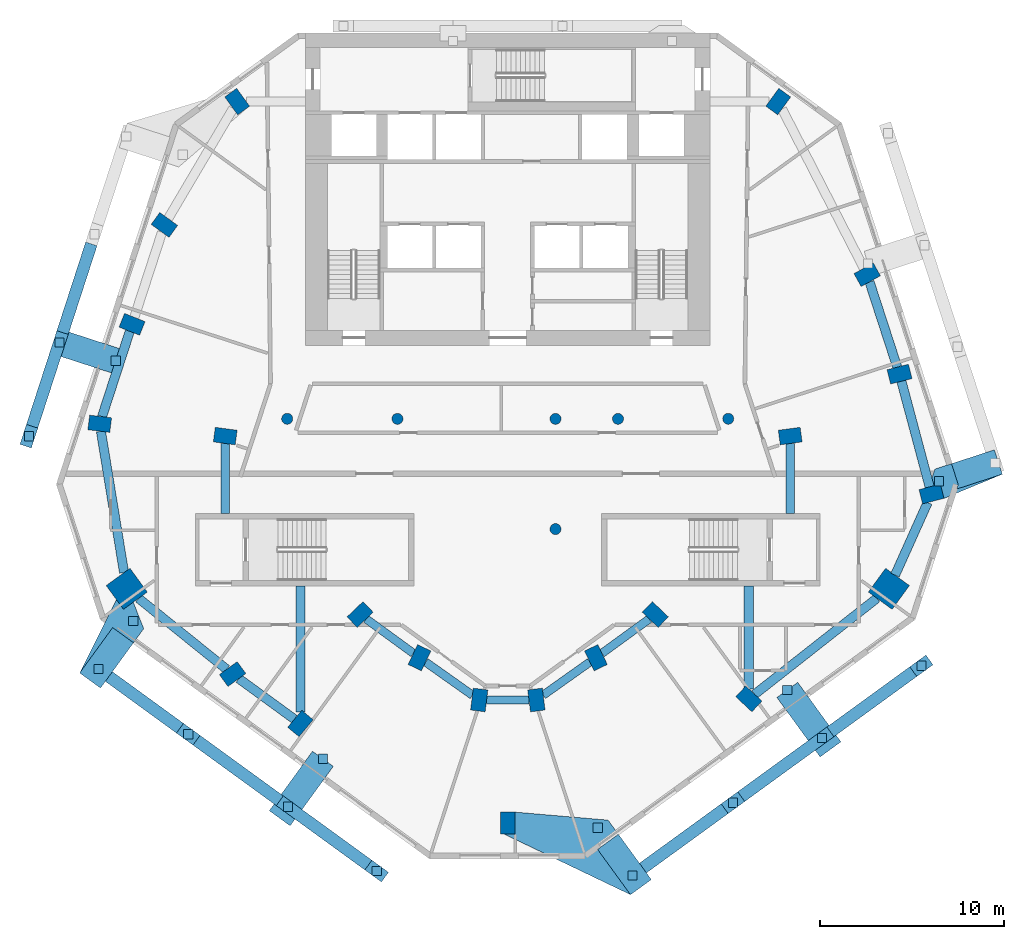
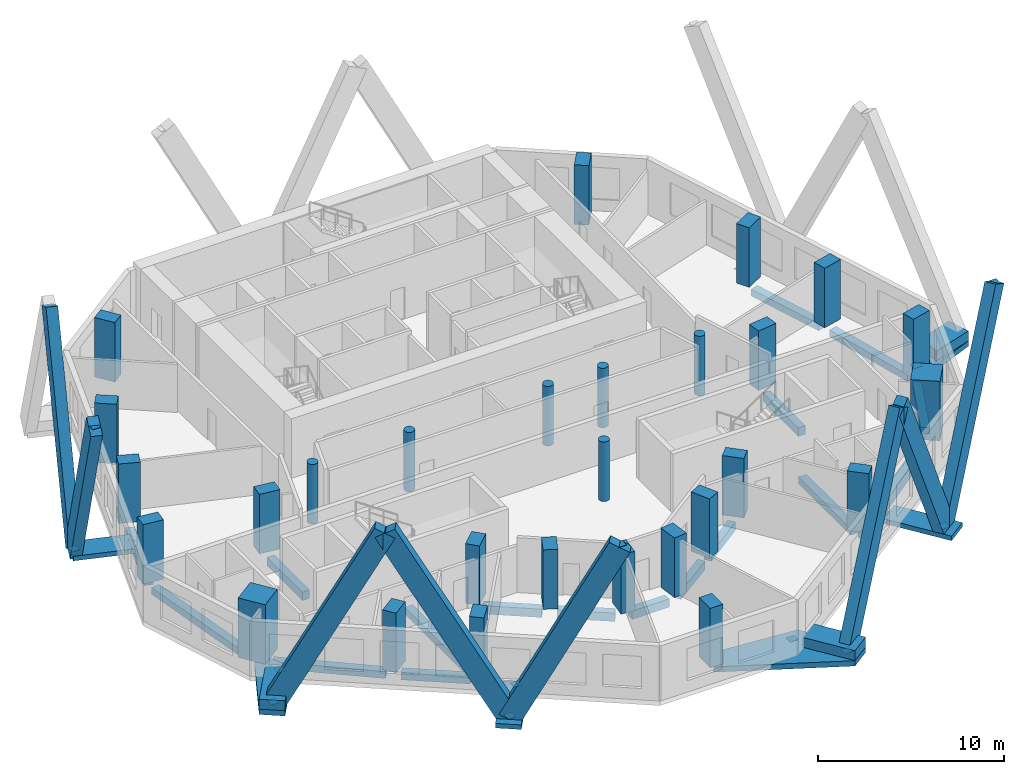
# One storey, part 1 of 10: 28 columns, 17 beams, 17 members, 16 discrete accessories.
"""IFC4 building model written with IfcOpenShell, lengths in metres."""

from ifc_helpers import new_model, si_unit, direction, frame, origin, origin_2d, place, context, subcontext, project, spatial, polyline, rectangle, circle, outline, extrude, material, layer, layer_set, material_profile, profile_set, type_object, element, aggregate, save


model = new_model("IFC4")

# Units and contexts
model_context = context("Model", 3, precision=1e-05, world=origin(), true_north=direction((0.0, 1.0)))
body_context = subcontext(model_context, "Body", "Model", "MODEL_VIEW")
ifc_project = project(units=[si_unit("LENGTHUNIT", "METRE"), si_unit("AREAUNIT", "SQUARE_METRE"), si_unit("VOLUMEUNIT", "CUBIC_METRE"), si_unit("PLANEANGLEUNIT", "RADIAN"), si_unit("MASSUNIT", "GRAM", prefix="KILO")], contexts=[model_context])

# Site, building, storey
site_placement = place(None, origin())
site = spatial("IfcSite", under=ifc_project, at=site_placement, CompositionType="ELEMENT")
building_placement = place(site_placement, origin())
building = spatial("IfcBuilding", under=site, at=building_placement, Name="White Candle Pilgrim Tower", CompositionType="ELEMENT")
storey_placement = place(building_placement, frame((0.0, 0.0, 219.89990234375)))
storey = spatial("IfcBuildingStorey", under=building, at=storey_placement, Name="L51", CompositionType="ELEMENT", Elevation=219.89990234375)

# Columns
ifc_material_1 = material(Name="Concrete C70/85", Category="concrete")
ifc_material_profile_1 = material_profile(ifc_material_1, circle(Radius=0.300048828125, at=origin_2d()), Name="RC-COL D600")
ifc_profile_set_1 = profile_set([ifc_material_profile_1], Name="Concrete C70/85")
column_type_1 = type_object("IfcColumnType", Name="Interior column RC-COL D600 C70/85", PredefinedType="COLUMN", material=ifc_profile_set_1)
for number, where, z_axis, x_axis, name in (
    (1, (58.0, 67.0, 0.0), (0.0, 0.0, 1.0), (1.0, 0.0, 0.0), "L51 column I01"),
    (2, (64.0, 67.0, 0.0), (0.0, 0.0, 1.0), (1.0, 0.0, 0.0), "L51 column I02"),
    (3, (72.60009765625, 61.0, 0.0), (0.0, 0.0, 1.0), (1.0, 0.0, 0.0), "L51 column I03"),
    (4, (72.60009765625, 67.0, 0.0), (0.0, 0.0, 1.0), (1.0, 0.0, 0.0), "L51 column I04"),
    (5, (76.0, 67.0, 0.0), (0.0, 0.0, 1.0), (1.0, 0.0, 0.0), "L51 column I05"),
    (6, (82.0, 67.0, 0.0), (0.0, 0.0, 1.0), (1.0, 0.0, 0.0), "L51 column I06"),
):
    element("IfcColumn", number, at=place(storey_placement, frame(where, z_axis=z_axis, x_axis=x_axis)), inside=storey, type_object=column_type_1, Name=name, PredefinedType="COLUMN", context=body_context, shape_type="SweptSolid", body=[
        extrude(circle(Radius=0.300048828125, at=origin_2d()), origin(), (0.0, 0.0, 1.0), 3.900146484375),
    ])
ifc_material_profile_2 = material_profile(ifc_material_1, rectangle(XDim=1.60009765625, YDim=1.60009765625, at=origin_2d()), Name="RC 1600x1600")
ifc_profile_set_2 = profile_set([ifc_material_profile_2], Name="Concrete C70/85")
column_type_2 = type_object("IfcColumnType", Name="Mega column RC 1600x1600 C70/85", PredefinedType="COLUMN", material=ifc_profile_set_2)
for number, where, z_axis, x_axis, name in (
    (7, (49.27001953125, 57.75, 0.0), (0.0, 0.0, 1.0), (-0.809016994375, -0.587785252292, 0.0), "L51 mega column T01"),
    (8, (90.739990234375, 57.75, 0.0), (0.0, 0.0, 1.0), (0.809016994375, -0.587785252292, 0.0), "L51 mega column T06"),
):
    element("IfcColumn", number, at=place(storey_placement, frame(where, z_axis=z_axis, x_axis=x_axis)), inside=storey, type_object=column_type_2, Name=name, PredefinedType="COLUMN", context=body_context, shape_type="SweptSolid", body=[
        extrude(rectangle(XDim=1.60009765625, YDim=1.60009765625, at=origin_2d()), origin(), (0.0, 0.0, 1.0), 3.900146484375),
    ])
ifc_material_profile_3 = material_profile(ifc_material_1, rectangle(XDim=0.800048828125, YDim=1.199951171875, at=origin_2d()), Name="RC-PR 800x1200")
ifc_profile_set_3 = profile_set([ifc_material_profile_3], Name="Concrete C70/85")
column_type_3 = type_object("IfcColumnType", Name="Perimeter column RC-PR 800x1200 C70/85", PredefinedType="COLUMN", material=ifc_profile_set_3)
for number, where, z_axis, x_axis, name in (
    (9, (55.030029296875, 53.110107421875, 0.0), (0.0, 0.0, 1.0), (-0.58846280644, 0.808524288711, 0.0), "L51 column T02"),
    (10, (58.719970703125, 50.419921875, 0.0), (0.0, 0.0, 1.0), (-0.769310358735, 0.638875239733, 0.0), "L51 column T03"),
    (11, (70.0, 45.0, 0.0), (0.0, 0.0, 1.0), (-1.0, 0.0, 0.0), "L51 column T04"),
    (12, (83.1201171875, 51.760009765625, 0.0), (0.0, 0.0, 1.0), (-0.681998360062, -0.731353701619, 0.0), "L51 column T05"),
    (13, (93.06005859375, 62.909912109375, 0.0), (0.0, 0.0, 1.0), (0.246880623275, -0.969045900797, 0.0), "L51 column T07"),
    (14, (91.320068359375, 69.429931640625, 0.0), (0.0, 0.0, 1.0), (0.246880623275, -0.969045900797, 0.0), "L51 column T08"),
    (15, (89.56005859375, 74.840087890625, 0.0), (0.0, 0.0, 1.0), (0.484809620246, -0.874619707139, 0.0), "L51 column T09"),
    (16, (84.719970703125, 84.260009765625, 0.0), (0.0, 0.0, 1.0), (0.80902725304, -0.587771132193, 0.0), "L51 column T10"),
    (17, (55.280029296875, 84.260009765625, 0.0), (0.0, 0.0, 1.0), (0.80902725304, 0.587771132193, 0.0), "L51 column T11"),
    (18, (51.320068359375, 77.550048828125, 0.0), (0.0, 0.0, 1.0), (0.587107285614, 0.809509132239, 0.0), "L51 column T12"),
    (19, (49.56005859375, 72.139892578125, 0.0), (0.0, 0.0, 1.0), (0.369860269472, 0.929087391512, 0.0), "L51 column T13"),
    (20, (47.800048828125, 66.72998046875, 0.0), (0.0, 0.0, 1.0), (0.121869343405, 0.992546151641, 0.0), "L51 column T14"),
):
    element("IfcColumn", number, at=place(storey_placement, frame(where, z_axis=z_axis, x_axis=x_axis)), inside=storey, type_object=column_type_3, Name=name, PredefinedType="COLUMN", context=body_context, shape_type="SweptSolid", body=[
        extrude(rectangle(XDim=0.800048828125, YDim=1.199951171875, at=origin_2d()), origin(), (0.0, 0.0, 1.0), 3.900146484375),
    ])
ifc_material_profile_4 = material_profile(ifc_material_1, rectangle(XDim=0.800048828125, YDim=1.199951171875, at=origin_2d()), Name="RC-PR 800x1200")
ifc_profile_set_4 = profile_set([ifc_material_profile_4], Name="Concrete C70/85")
column_type_4 = type_object("IfcColumnType", Name="Ring column RC-PR 800x1200 C70/85", PredefinedType="COLUMN", material=ifc_profile_set_4)
for number, where, z_axis, x_axis, name in (
    (21, (61.969970703125, 56.35009765625, 0.0), (0.0, 0.0, 1.0), (-0.689872285383, 0.723931094691, 0.0), "L51 column R01"),
    (22, (65.199951171875, 54.0, 0.0), (0.0, 0.0, 1.0), (-0.901689191761, 0.43238478403, 0.0), "L51 column R02"),
    (23, (68.449951171875, 51.699951171875, 0.0), (0.0, 0.0, 1.0), (-0.992092811428, 0.125506388335, 0.0), "L51 column R03"),
    (24, (71.56005859375, 51.699951171875, 0.0), (0.0, 0.0, 1.0), (-0.992092811428, -0.125506388335, 0.0), "L51 column R04"),
    (25, (74.800048828125, 54.0, 0.0), (0.0, 0.0, 1.0), (-0.901689191761, -0.43238478403, 0.0), "L51 column R05"),
    (26, (78.030029296875, 56.35009765625, 0.0), (0.0, 0.0, 1.0), (-0.689872285383, -0.723931094691, 0.0), "L51 column R06"),
    (27, (85.3701171875, 66.06005859375, 0.0), (0.0, 0.0, 1.0), (0.132602381688, -0.991169313675, 0.0), "L51 column R07"),
    (28, (54.6298828125, 66.06005859375, 0.0), (0.0, 0.0, 1.0), (0.132602381688, 0.991169313675, 0.0), "L51 column R08"),
):
    element("IfcColumn", number, at=place(storey_placement, frame(where, z_axis=z_axis, x_axis=x_axis)), inside=storey, type_object=column_type_4, Name=name, PredefinedType="COLUMN", context=body_context, shape_type="SweptSolid", body=[
        extrude(rectangle(XDim=0.800048828125, YDim=1.199951171875, at=origin_2d()), origin(), (0.0, 0.0, 1.0), 3.900146484375),
    ])

# Member
ifc_material_2 = material(Name="Concrete C70/85, white", Category="concrete")
ifc_material_profile_5 = material_profile(ifc_material_2, rectangle(XDim=0.64990234375, YDim=1.25, at=origin_2d()), Name="RC-DG 650x1250")
ifc_profile_set_5 = profile_set([ifc_material_profile_5], Name="Concrete C70/85, white")
member_type_1 = type_object("IfcMemberType", Name="Exoskeleton diagonal RC-DG 650x1250 C70/85", PredefinedType="BRACE", material=ifc_profile_set_5)
member_1_placement = place(storey_placement, frame((76.79150390625, 42.1435546875, 0.0), z_axis=(0.404501842717, 0.293871022438, 0.866035843028), x_axis=(-0.587763300439, 0.809032942875, 0.0)))
member_1 = element("IfcMember", 29, at=member_1_placement, inside=storey, type_object=member_type_1, Name="Exoskeleton diagonal EX211", PredefinedType="BRACE", context=body_context, shape_type="SweptSolid", body=[
    extrude(rectangle(XDim=0.64990234375, YDim=1.25, at=origin_2d()), origin(), (0.0, 0.0, 1.0), 13.510009765625),
])

member_2_placement = place(storey_placement, frame((87.108642578125, 49.639404296875, 0.0), z_axis=(-0.369052439761, -0.268150253212, 0.889885238898), x_axis=(0.587811020968, -0.808998271709, 0.0)))
member_2 = element("IfcMember", 30, at=member_2_placement, inside=storey, type_object=member_type_1, Name="Exoskeleton diagonal EX212", PredefinedType="BRACE", context=body_context, shape_type="SweptSolid", body=[
    extrude(rectangle(XDim=0.64990234375, YDim=1.25, at=origin_2d()), origin(), (0.0, 0.0, 1.0), 13.14794921875),
])

member_3_placement = place(storey_placement, frame((87.108642578125, 49.639404296875, 0.0), z_axis=(0.400866882013, 0.29122978072, 0.868614389546), x_axis=(-0.587762720698, 0.809033364057, 0.0)))
member_3 = element("IfcMember", 31, at=member_3_placement, inside=storey, type_object=member_type_1, Name="Exoskeleton diagonal EX213", PredefinedType="BRACE", context=body_context, shape_type="SweptSolid", body=[
    extrude(rectangle(XDim=0.64990234375, YDim=1.25, at=origin_2d()), origin(), (0.0, 0.0, 1.0), 13.469970703125),
])

member_4_placement = place(storey_placement, frame((47.73291015625, 53.38720703125, 0.0), z_axis=(0.371003373635, -0.269574522487, 0.888642826774), x_axis=(0.587820636733, 0.808991284892, 0.0)))
member_4 = element("IfcMember", 32, at=member_4_placement, inside=storey, type_object=member_type_1, Name="Exoskeleton diagonal EX223", PredefinedType="BRACE", context=body_context, shape_type="SweptSolid", body=[
    extrude(rectangle(XDim=0.64990234375, YDim=1.25, at=origin_2d()), origin(), (0.0, 0.0, 1.0), 13.166259765625),
])

member_5_placement = place(storey_placement, frame((58.0498046875, 45.891357421875, 0.0), z_axis=(-0.402680833303, 0.29255441215, 0.867329269898), x_axis=(-0.587771657404, -0.809026871465, 0.0)))
member_5 = element("IfcMember", 33, at=member_5_placement, inside=storey, type_object=member_type_1, Name="Exoskeleton diagonal EX224", PredefinedType="BRACE", context=body_context, shape_type="SweptSolid", body=[
    extrude(rectangle(XDim=0.64990234375, YDim=1.25, at=origin_2d()), origin(), (0.0, 0.0, 1.0), 13.489990234375),
])

member_6_placement = place(storey_placement, frame((58.0498046875, 45.891357421875, 0.0), z_axis=(0.367095143715, -0.266702747762, 0.891128946784), x_axis=(0.587774454156, 0.80902483957, 0.0)))
member_6 = element("IfcMember", 34, at=member_6_placement, inside=storey, type_object=member_type_1, Name="Exoskeleton diagonal EX225", PredefinedType="BRACE", context=body_context, shape_type="SweptSolid", body=[
    extrude(rectangle(XDim=0.64990234375, YDim=1.25, at=origin_2d()), origin(), (0.0, 0.0, 1.0), 13.129638671875),
])

member_7_placement = place(storey_placement, frame((45.60400390625, 71.153076171875, 0.0), z_axis=(0.144595245537, 0.445034697175, 0.883762600068), x_axis=(-0.951059840625, 0.309006762953, 0.0)))
member_7 = element("IfcMember", 35, at=member_7_placement, inside=storey, type_object=member_type_1, Name="Exoskeleton diagonal EX236", PredefinedType="BRACE", context=body_context, shape_type="SweptSolid", body=[
    extrude(rectangle(XDim=0.64990234375, YDim=1.25, at=origin_2d()), origin(), (0.0, 0.0, 1.0), 13.239013671875),
])

member_8_placement = place(storey_placement, frame((45.60400390625, 71.153076171875, 0.0), z_axis=(-0.128713518925, -0.396118937167, 0.909132893291), x_axis=(0.951051806783, -0.309031488388, 0.0)))
member_8 = element("IfcMember", 36, at=member_8_placement, inside=storey, type_object=member_type_1, Name="Exoskeleton diagonal EX237", PredefinedType="BRACE", context=body_context, shape_type="SweptSolid", body=[
    extrude(rectangle(XDim=0.64990234375, YDim=1.25, at=origin_2d()), origin(), (0.0, 0.0, 1.0), 12.86962890625),
])

ifc_layer_1 = layer(ifc_material_2, 0.300048828125)
ifc_layer_set_1 = layer_set([ifc_layer_1], Name="Node tie strut 3400x1400x300 C70/85")
member_type_2 = type_object("IfcMemberType", Name="Node tie strut 3400x1400x300 C70/85", PredefinedType="STRUT", material=ifc_layer_set_1)
member_9_placement = place(storey_placement, frame((0.0, 0.0, -0.349853515625)))
member_9 = element("IfcMember", 37, at=member_9_placement, inside=storey, type_object=member_type_2, Name="Node tie strut NC172", PredefinedType="STRUT", context=body_context, shape_type="SweptSolid", body=[
    extrude(outline(polyline([(93.740234375, 62.67041015625), (96.90966796875, 63.9833984375), (96.47705078125, 65.314697265625), (93.243408203125, 64.26416015625), (92.92919921875, 63.28955078125), (93.542724609375, 63.44580078125), (93.740234375, 62.67041015625)])), origin(), (0.0, 0.0, 1.0), 0.349853515625),
])

member_10_placement = place(storey_placement, origin())
element("IfcMember", 38, at=member_10_placement, inside=storey, type_object=member_type_2, Name="Node tie strut NC172", PredefinedType="STRUT", context=body_context, shape_type="SweptSolid", body=[
    extrude(outline(polyline([(94.43017578125, 63.177490234375), (96.90966796875, 63.9833984375), (96.47705078125, 65.314697265625), (94.14697265625, 64.5576171875), (94.5126953125, 63.431884765625), (94.43017578125, 63.177490234375)])), origin(), (0.0, 0.0, 1.0), 0.650146484375),
])

member_11_placement = place(storey_placement, frame((47.054443359375, 70.681884765625, -0.2998046875), z_axis=(0.0, 0.0, 1.0), x_axis=(-0.309016994375, -0.951056516295, 0.0)))
member_11 = element("IfcMember", 39, at=member_11_placement, inside=storey, type_object=member_type_2, Name="Node tie strut NC181", PredefinedType="STRUT", context=body_context, shape_type="SweptSolid", body=[
    extrude(rectangle(XDim=1.39990234375, YDim=3.39990234375, at=origin_2d()), origin(), (0.0, 0.0, 1.0), 0.300048828125),
])

ifc_layer_2 = layer(ifc_material_2, 0.300048828125)
ifc_layer_set_2 = layer_set([ifc_layer_2], Name="Node tie strut 4000x1400x300 C70/85")
member_type_3 = type_object("IfcMemberType", Name="Node tie strut 4000x1400x300 C70/85", PredefinedType="STRUT", material=ifc_layer_set_2)
member_12_placement = place(storey_placement, frame((0.0, 0.0, -0.349853515625)))
member_12 = element("IfcMember", 40, at=member_12_placement, inside=storey, type_object=member_type_3, Name="Node tie strut NC176", PredefinedType="STRUT", context=body_context, shape_type="SweptSolid", body=[
    extrude(outline(polyline([(76.680908203125, 41.10498046875), (77.8134765625, 41.927978515625), (75.46240234375, 45.1640625), (70.39990234375, 45.60009765625), (70.39990234375, 44.39990234375), (69.805419921875, 44.39990234375), (76.680908203125, 41.10498046875)])), origin(), (0.0, 0.0, 1.0), 0.349853515625),
])

member_13_placement = place(storey_placement, origin())
element("IfcMember", 41, at=member_13_placement, inside=storey, type_object=member_type_3, Name="Node tie strut NC176", PredefinedType="STRUT", context=body_context, shape_type="SweptSolid", body=[
    extrude(outline(polyline([(76.680908203125, 41.10498046875), (77.8134765625, 41.927978515625), (76.020751953125, 44.3955078125), (74.88818359375, 43.572509765625), (76.680908203125, 41.10498046875)])), origin(), (0.0, 0.0, 1.0), 0.650146484375),
])

member_14_placement = place(storey_placement, frame((86.388671875, 50.63037109375, -0.2998046875), z_axis=(0.0, 0.0, 1.0), x_axis=(0.809016994375, 0.587785252292, 0.0)))
member_14 = element("IfcMember", 42, at=member_14_placement, inside=storey, type_object=member_type_3, Name="Node tie strut NC177", PredefinedType="STRUT", context=body_context, shape_type="SweptSolid", body=[
    extrude(rectangle(XDim=1.39990234375, YDim=4.0, at=origin_2d()), origin(), (0.0, 0.0, 1.0), 0.300048828125),
])

member_15_placement = place(storey_placement, frame((0.0, 0.0, -0.349853515625)))
member_15 = element("IfcMember", 43, at=member_15_placement, inside=storey, type_object=member_type_3, Name="Node tie strut NC178", PredefinedType="STRUT", context=body_context, shape_type="SweptSolid", body=[
    extrude(outline(polyline([(47.843505859375, 52.3486328125), (50.194580078125, 55.584716796875), (49.626220703125, 57.02001953125), (49.093017578125, 56.632568359375), (48.71240234375, 57.156494140625), (46.7109375, 53.171630859375), (47.843505859375, 52.3486328125)])), origin(), (0.0, 0.0, 1.0), 0.349853515625),
])

member_16_placement = place(storey_placement, origin())
element("IfcMember", 44, at=member_16_placement, inside=storey, type_object=member_type_3, Name="Node tie strut NC178", PredefinedType="STRUT", context=body_context, shape_type="SweptSolid", body=[
    extrude(outline(polyline([(47.843505859375, 52.3486328125), (49.63623046875, 54.816162109375), (48.503662109375, 55.63916015625), (46.7109375, 53.171630859375), (47.843505859375, 52.3486328125)])), origin(), (0.0, 0.0, 1.0), 0.650146484375),
])

member_17_placement = place(storey_placement, frame((58.77001953125, 46.88232421875, -0.2998046875), z_axis=(0.0, 0.0, 1.0), x_axis=(0.809016994375, -0.587785252292, 0.0)))
member_17 = element("IfcMember", 45, at=member_17_placement, inside=storey, type_object=member_type_3, Name="Node tie strut NC179", PredefinedType="STRUT", context=body_context, shape_type="SweptSolid", body=[
    extrude(rectangle(XDim=1.39990234375, YDim=4.0, at=origin_2d()), origin(), (0.0, 0.0, 1.0), 0.300048828125),
])

# Beams
ifc_material_3 = material(Name="Concrete C50/60", Category="concrete")
ifc_material_profile_6 = material_profile(ifc_material_3, rectangle(XDim=0.449951171875, YDim=0.550048828125, at=origin_2d()), Name="RC-BM 450x550")
ifc_profile_set_6 = profile_set([ifc_material_profile_6], Name="Concrete C50/60")
beam_type_1 = type_object("IfcBeamType", Name="Ring beam RC-BM 450x550 C50/60", PredefinedType="BEAM", material=ifc_profile_set_6)
beam_1_placement = place(storey_placement, frame((62.298828125, 56.11083984375, -0.574951171875), z_axis=(0.808609951168, -0.588345091653, 0.0), x_axis=(0.588345091653, 0.808609951168, 0.0)))
element("IfcBeam", 46, at=beam_1_placement, inside=storey, type_object=beam_type_1, Name="L51 ring beam R01", PredefinedType="BEAM", context=body_context, shape_type="SweptSolid", body=[
    extrude(rectangle(XDim=0.449951171875, YDim=0.550048828125, at=origin_2d()), origin(), (0.0, 0.0, 1.0), 3.18115234375),
])
beam_2_placement = place(storey_placement, frame((65.53125, 53.765625, -0.574951171875), z_axis=(0.816256463166, -0.577689697277, 0.0), x_axis=(0.577689697277, 0.816256463166, 0.0)))
element("IfcBeam", 47, at=beam_2_placement, inside=storey, type_object=beam_type_1, Name="L51 ring beam R02", PredefinedType="BEAM", context=body_context, shape_type="SweptSolid", body=[
    extrude(rectangle(XDim=0.449951171875, YDim=0.550048828125, at=origin_2d()), origin(), (0.0, 0.0, 1.0), 3.122314453125),
])
beam_3_placement = place(storey_placement, frame((68.853271484375, 51.699951171875, -0.574951171875), z_axis=(1.0, 0.0, 0.0), x_axis=(0.0, 1.0, 0.0)))
element("IfcBeam", 48, at=beam_3_placement, inside=storey, type_object=beam_type_1, Name="L51 ring beam R03", PredefinedType="BEAM", context=body_context, shape_type="SweptSolid", body=[
    extrude(rectangle(XDim=0.449951171875, YDim=0.550048828125, at=origin_2d()), origin(), (0.0, 0.0, 1.0), 2.303466796875),
])
beam_4_placement = place(storey_placement, frame((71.929931640625, 51.962646484375, -0.574951171875), z_axis=(0.815419993855, 0.578869789868, 0.0), x_axis=(-0.578869789868, 0.815419993855, 0.0)))
element("IfcBeam", 49, at=beam_4_placement, inside=storey, type_object=beam_type_1, Name="L51 ring beam R04", PredefinedType="BEAM", context=body_context, shape_type="SweptSolid", body=[
    extrude(rectangle(XDim=0.449951171875, YDim=0.550048828125, at=origin_2d()), origin(), (0.0, 0.0, 1.0), 3.11376953125),
])
beam_5_placement = place(storey_placement, frame((75.12890625, 54.2392578125, -0.574951171875), z_axis=(0.808609951168, 0.588345091653, 0.0), x_axis=(-0.588345091653, 0.808609951168, 0.0)))
element("IfcBeam", 50, at=beam_5_placement, inside=storey, type_object=beam_type_1, Name="L51 ring beam R05", PredefinedType="BEAM", context=body_context, shape_type="SweptSolid", body=[
    extrude(rectangle(XDim=0.449951171875, YDim=0.550048828125, at=origin_2d()), origin(), (0.0, 0.0, 1.0), 3.18115234375),
])
for number, where, z_axis, x_axis, name in (
    (51, (85.3701171875, 65.656494140625, -0.574951171875), (0.0, -1.0, 0.0), (1.0, 0.0, 0.0), "L51 ring beam R06"),
    (52, (54.6298828125, 65.656494140625, -0.574951171875), (0.0, -1.0, 0.0), (1.0, 0.0, 0.0), "L51 ring beam R07"),
):
    element("IfcBeam", number, at=place(storey_placement, frame(where, z_axis=z_axis, x_axis=x_axis)), inside=storey, type_object=beam_type_1, Name=name, PredefinedType="BEAM", context=body_context, shape_type="SweptSolid", body=[
        extrude(rectangle(XDim=0.449951171875, YDim=0.550048828125, at=origin_2d()), origin(), (0.0, 0.0, 1.0), 3.806396484375),
    ])
ifc_material_profile_7 = material_profile(ifc_material_3, rectangle(XDim=0.5, YDim=0.449951171875, at=origin_2d()), Name="RC-BM 500x450")
ifc_profile_set_7 = profile_set([ifc_material_profile_7], Name="Concrete C50/60")
beam_type_2 = type_object("IfcBeamType", Name="Spandrel beam RC-BM 500x450 C50/60", PredefinedType="BEAM", material=ifc_profile_set_7)
beam_6_placement = place(storey_placement, frame((49.915283203125, 57.22998046875, -0.52490234375), z_axis=(0.778778136726, -0.62729946099, 0.0), x_axis=(0.62729946099, 0.778778136726, 0.0)))
element("IfcBeam", 53, at=beam_6_placement, inside=storey, type_object=beam_type_2, Name="L51 spandrel beam T01", PredefinedType="BEAM", context=body_context, shape_type="SweptSolid", body=[
    extrude(rectangle(XDim=0.5, YDim=0.449951171875, at=origin_2d()), origin(), (0.0, 0.0, 1.0), 6.153564453125),
])
beam_7_placement = place(storey_placement, frame((55.36962890625, 52.8623046875, -0.52490234375), z_axis=(0.808061834145, -0.58909767628, 0.0), x_axis=(0.58909767628, 0.808061834145, 0.0)))
element("IfcBeam", 54, at=beam_7_placement, inside=storey, type_object=beam_type_2, Name="L51 spandrel beam T02", PredefinedType="BEAM", context=body_context, shape_type="SweptSolid", body=[
    extrude(rectangle(XDim=0.5, YDim=0.449951171875, at=origin_2d()), origin(), (0.0, 0.0, 1.0), 3.7451171875),
])
beam_8_placement = place(storey_placement, frame((58.719970703125, 51.046142578125, -0.52490234375), z_axis=(0.0, 1.0, 0.0), x_axis=(-1.0, 0.0, 0.0)))
element("IfcBeam", 55, at=beam_8_placement, inside=storey, type_object=beam_type_2, Name="L51 spandrel beam T03", PredefinedType="BEAM", context=body_context, shape_type="SweptSolid", body=[
    extrude(rectangle(XDim=0.5, YDim=0.449951171875, at=origin_2d()), origin(), (0.0, 0.0, 1.0), 6.853759765625),
])
beam_9_placement = place(storey_placement, frame((83.1201171875, 52.306884765625, -0.52490234375), z_axis=(0.0, 1.0, 0.0), x_axis=(-1.0, 0.0, 0.0)))
element("IfcBeam", 56, at=beam_9_placement, inside=storey, type_object=beam_type_2, Name="L51 spandrel beam T04", PredefinedType="BEAM", context=body_context, shape_type="SweptSolid", body=[
    extrude(rectangle(XDim=0.5, YDim=0.449951171875, at=origin_2d()), origin(), (0.0, 0.0, 1.0), 5.593017578125),
])
beam_10_placement = place(storey_placement, frame((91.0751953125, 58.495361328125, -0.52490234375), z_axis=(0.410043403319, 0.912066010437, 0.0), x_axis=(-0.912066010437, 0.410043403319, 0.0)))
element("IfcBeam", 57, at=beam_10_placement, inside=storey, type_object=beam_type_2, Name="L51 spandrel beam T06", PredefinedType="BEAM", context=body_context, shape_type="SweptSolid", body=[
    extrude(rectangle(XDim=0.5, YDim=0.449951171875, at=origin_2d()), origin(), (0.0, 0.0, 1.0), 4.3291015625),
])
beam_11_placement = place(storey_placement, frame((92.956787109375, 63.29638671875, -0.52490234375), z_axis=(-0.257841470678, 0.966187236512, 0.0), x_axis=(-0.966187236512, -0.257841470678, 0.0)))
element("IfcBeam", 58, at=beam_11_placement, inside=storey, type_object=beam_type_2, Name="L51 spandrel beam T07", PredefinedType="BEAM", context=body_context, shape_type="SweptSolid", body=[
    extrude(rectangle(XDim=0.5, YDim=0.449951171875, at=origin_2d()), origin(), (0.0, 0.0, 1.0), 5.9482421875),
])
beam_12_placement = place(storey_placement, frame((91.196044921875, 69.811279296875, -0.52490234375), z_axis=(-0.309391453236, 0.950934765725, 0.0), x_axis=(-0.950934765725, -0.309391453236, 0.0)))
element("IfcBeam", 59, at=beam_12_placement, inside=storey, type_object=beam_type_2, Name="L51 spandrel beam T08", PredefinedType="BEAM", context=body_context, shape_type="SweptSolid", body=[
    extrude(rectangle(XDim=0.5, YDim=0.449951171875, at=origin_2d()), origin(), (0.0, 0.0, 1.0), 4.880615234375),
])
beam_13_placement = place(storey_placement, frame((49.43603515625, 71.7587890625, -0.52490234375), z_axis=(-0.309376736615, -0.950939553726, 0.0), x_axis=(0.950939553726, -0.309376736615, 0.0)))
element("IfcBeam", 60, at=beam_13_placement, inside=storey, type_object=beam_type_2, Name="L51 spandrel beam T14", PredefinedType="BEAM", context=body_context, shape_type="SweptSolid", body=[
    extrude(rectangle(XDim=0.5, YDim=0.449951171875, at=origin_2d()), origin(), (0.0, 0.0, 1.0), 4.880859375),
])
beam_14_placement = place(storey_placement, frame((47.8671875, 66.318603515625, -0.52490234375), z_axis=(0.161556298314, -0.986863497387, 0.0), x_axis=(0.986863497387, 0.161556298314, 0.0)))
element("IfcBeam", 61, at=beam_14_placement, inside=storey, type_object=beam_type_2, Name="L51 spandrel beam T15", PredefinedType="BEAM", context=body_context, shape_type="SweptSolid", body=[
    extrude(rectangle(XDim=0.5, YDim=0.449951171875, at=origin_2d()), origin(), (0.0, 0.0, 1.0), 7.787109375),
])
ifc_material_profile_8 = material_profile(ifc_material_3, rectangle(XDim=0.5, YDim=0.699951171875, at=origin_2d()), Name="RC-BM 500x700")
ifc_profile_set_8 = profile_set([ifc_material_profile_8], Name="Concrete C50/60")
beam_type_3 = type_object("IfcBeamType", Name="Spandrel beam RC-BM 500x700 C50/60", PredefinedType="BEAM", material=ifc_profile_set_8)
beam_15_placement = place(storey_placement, frame((83.438232421875, 52.01025390625, -0.64990234375), z_axis=(0.786178058268, 0.618000049109, 0.0), x_axis=(-0.618000049109, 0.786178058268, 0.0)))
element("IfcBeam", 62, at=beam_15_placement, inside=storey, type_object=beam_type_3, Name="L51 spandrel beam T05", PredefinedType="BEAM", context=body_context, shape_type="SweptSolid", body=[
    extrude(rectangle(XDim=0.5, YDim=0.699951171875, at=origin_2d()), origin(), (0.0, 0.0, 1.0), 8.4560546875),
])

# Discrete accessory
ifc_material_4 = material(Name="Steel S355", Category="steel")
ifc_layer_3 = layer(ifc_material_4, 0.02490234375)
ifc_layer_set_3 = layer_set([ifc_layer_3], Name="Gusset plate 500x500x25 S355")
discrete_accessory_type = type_object("IfcDiscreteAccessoryType", Name="Gusset plate 500x500x25 S355", PredefinedType="BRACKET", material=ifc_layer_set_3)
discrete_accessory_1_placement = place(storey_placement, frame((76.79150390625, 42.1435546875, -0.012451171875), z_axis=(0.0, 0.0, 1.0), x_axis=(1.0, 0.0, 0.0)))
discrete_accessory_1 = element("IfcDiscreteAccessory", 63, at=discrete_accessory_1_placement, type_object=discrete_accessory_type, Name="Gusset plate 0240", PredefinedType="BRACKET", context=body_context, shape_type="SweptSolid", body=[
    extrude(rectangle(XDim=0.5, YDim=0.5, at=origin_2d()), origin(), (0.0, 0.0, 1.0), 0.02490234375),
])

placement = place(building_placement, frame((0.0, 0.0, 231.60009765625)))
discrete_accessory_2_placement = place(placement, frame((82.25634765625, 46.11376953125, -0.012451171875), z_axis=(0.0, 0.0, 1.0), x_axis=(1.0, 0.0, 0.0)))
discrete_accessory_2 = element("IfcDiscreteAccessory", 64, at=discrete_accessory_2_placement, type_object=discrete_accessory_type, Name="Gusset plate 0241", PredefinedType="BRACKET", context=body_context, shape_type="SweptSolid", body=[
    extrude(rectangle(XDim=0.5, YDim=0.5, at=origin_2d()), origin(), (0.0, 0.0, 1.0), 0.02490234375),
])

aggregate(member_1, [discrete_accessory_1, discrete_accessory_2])

discrete_accessory_3_placement = place(storey_placement, frame((87.108642578125, 49.639404296875, -0.012451171875), z_axis=(0.0, 0.0, 1.0), x_axis=(1.0, 0.0, 0.0)))
discrete_accessory_3 = element("IfcDiscreteAccessory", 65, at=discrete_accessory_3_placement, type_object=discrete_accessory_type, Name="Gusset plate 0242", PredefinedType="BRACKET", context=body_context, shape_type="SweptSolid", body=[
    extrude(rectangle(XDim=0.5, YDim=0.5, at=origin_2d()), origin(), (0.0, 0.0, 1.0), 0.02490234375),
])

aggregate(member_2, [discrete_accessory_3])

discrete_accessory_4_placement = place(placement, frame((92.50830078125, 53.562255859375, -0.012451171875), z_axis=(0.0, 0.0, 1.0), x_axis=(1.0, 0.0, 0.0)))
discrete_accessory_4 = element("IfcDiscreteAccessory", 66, at=discrete_accessory_4_placement, type_object=discrete_accessory_type, Name="Gusset plate 0243", PredefinedType="BRACKET", context=body_context, shape_type="SweptSolid", body=[
    extrude(rectangle(XDim=0.5, YDim=0.5, at=origin_2d()), origin(), (0.0, 0.0, 1.0), 0.02490234375),
])

aggregate(member_3, [discrete_accessory_4])

discrete_accessory_5_placement = place(storey_placement, frame((47.73291015625, 53.38720703125, -0.012451171875), z_axis=(0.0, 0.0, 1.0), x_axis=(1.0, 0.0, 0.0)))
discrete_accessory_5 = element("IfcDiscreteAccessory", 67, at=discrete_accessory_5_placement, type_object=discrete_accessory_type, Name="Gusset plate 0256", PredefinedType="BRACKET", context=body_context, shape_type="SweptSolid", body=[
    extrude(rectangle(XDim=0.5, YDim=0.5, at=origin_2d()), origin(), (0.0, 0.0, 1.0), 0.02490234375),
])

discrete_accessory_6_placement = place(placement, frame((52.61767578125, 49.837890625, -0.012451171875), z_axis=(0.0, 0.0, 1.0), x_axis=(1.0, 0.0, 0.0)))
discrete_accessory_6 = element("IfcDiscreteAccessory", 68, at=discrete_accessory_6_placement, type_object=discrete_accessory_type, Name="Gusset plate 0257", PredefinedType="BRACKET", context=body_context, shape_type="SweptSolid", body=[
    extrude(rectangle(XDim=0.5, YDim=0.5, at=origin_2d()), origin(), (0.0, 0.0, 1.0), 0.02490234375),
])

aggregate(member_4, [discrete_accessory_5, discrete_accessory_6])

discrete_accessory_7_placement = place(storey_placement, frame((58.0498046875, 45.891357421875, -0.012451171875), z_axis=(0.0, 0.0, 1.0), x_axis=(1.0, 0.0, 0.0)))
discrete_accessory_7 = element("IfcDiscreteAccessory", 69, at=discrete_accessory_7_placement, type_object=discrete_accessory_type, Name="Gusset plate 0258", PredefinedType="BRACKET", context=body_context, shape_type="SweptSolid", body=[
    extrude(rectangle(XDim=0.5, YDim=0.5, at=origin_2d()), origin(), (0.0, 0.0, 1.0), 0.02490234375),
])

aggregate(member_5, [discrete_accessory_7])

discrete_accessory_8_placement = place(placement, frame((62.86962890625, 42.3896484375, -0.012451171875), z_axis=(0.0, 0.0, 1.0), x_axis=(1.0, 0.0, 0.0)))
discrete_accessory_8 = element("IfcDiscreteAccessory", 70, at=discrete_accessory_8_placement, type_object=discrete_accessory_type, Name="Gusset plate 0259", PredefinedType="BRACKET", context=body_context, shape_type="SweptSolid", body=[
    extrude(rectangle(XDim=0.5, YDim=0.5, at=origin_2d()), origin(), (0.0, 0.0, 1.0), 0.02490234375),
])

aggregate(member_6, [discrete_accessory_8])

discrete_accessory_9_placement = place(storey_placement, frame((45.60400390625, 71.153076171875, -0.012451171875), z_axis=(0.0, 0.0, 1.0), x_axis=(1.0, 0.0, 0.0)))
discrete_accessory_9 = element("IfcDiscreteAccessory", 71, at=discrete_accessory_9_placement, type_object=discrete_accessory_type, Name="Gusset plate 0275", PredefinedType="BRACKET", context=body_context, shape_type="SweptSolid", body=[
    extrude(rectangle(XDim=0.5, YDim=0.5, at=origin_2d()), origin(), (0.0, 0.0, 1.0), 0.02490234375),
])

aggregate(member_7, [discrete_accessory_9])

discrete_accessory_10_placement = place(placement, frame((43.947509765625, 66.05517578125, -0.012451171875), z_axis=(0.0, 0.0, 1.0), x_axis=(1.0, 0.0, 0.0)))
discrete_accessory_10 = element("IfcDiscreteAccessory", 72, at=discrete_accessory_10_placement, type_object=discrete_accessory_type, Name="Gusset plate 0276", PredefinedType="BRACKET", context=body_context, shape_type="SweptSolid", body=[
    extrude(rectangle(XDim=0.5, YDim=0.5, at=origin_2d()), origin(), (0.0, 0.0, 1.0), 0.02490234375),
])

aggregate(member_8, [discrete_accessory_10])

discrete_accessory_11_placement = place(storey_placement, frame((93.459716796875, 63.598388671875, -0.162353515625), z_axis=(0.0, 0.0, 1.0), x_axis=(1.0, 0.0, 0.0)))
discrete_accessory_11 = element("IfcDiscreteAccessory", 73, at=discrete_accessory_11_placement, type_object=discrete_accessory_type, Name="Gusset plate 0553", PredefinedType="BRACKET", context=body_context, shape_type="SweptSolid", body=[
    extrude(rectangle(XDim=0.5, YDim=0.5, at=origin_2d()), origin(), (0.0, 0.0, 1.0), 0.02490234375),
])

aggregate(member_9, [discrete_accessory_11])

discrete_accessory_12_placement = place(storey_placement, frame((74.89599609375, 44.75244140625, -0.162353515625), z_axis=(0.0, 0.0, 1.0), x_axis=(1.0, 0.0, 0.0)))
discrete_accessory_12 = element("IfcDiscreteAccessory", 74, at=discrete_accessory_12_placement, type_object=discrete_accessory_type, Name="Gusset plate 0557", PredefinedType="BRACKET", context=body_context, shape_type="SweptSolid", body=[
    extrude(rectangle(XDim=0.5, YDim=0.5, at=origin_2d()), origin(), (0.0, 0.0, 1.0), 0.02490234375),
])

aggregate(member_12, [discrete_accessory_12])

discrete_accessory_13_placement = place(storey_placement, frame((85.212890625, 52.248291015625, -0.162353515625), z_axis=(0.0, 0.0, 1.0), x_axis=(1.0, 0.0, 0.0)))
discrete_accessory_13 = element("IfcDiscreteAccessory", 75, at=discrete_accessory_13_placement, type_object=discrete_accessory_type, Name="Gusset plate 0558", PredefinedType="BRACKET", context=body_context, shape_type="SweptSolid", body=[
    extrude(rectangle(XDim=0.5, YDim=0.5, at=origin_2d()), origin(), (0.0, 0.0, 1.0), 0.02490234375),
])

aggregate(member_14, [discrete_accessory_13])

discrete_accessory_14_placement = place(storey_placement, frame((49.62841796875, 55.99609375, -0.162353515625), z_axis=(0.0, 0.0, 1.0), x_axis=(1.0, 0.0, 0.0)))
discrete_accessory_14 = element("IfcDiscreteAccessory", 76, at=discrete_accessory_14_placement, type_object=discrete_accessory_type, Name="Gusset plate 0559", PredefinedType="BRACKET", context=body_context, shape_type="SweptSolid", body=[
    extrude(rectangle(XDim=0.5, YDim=0.5, at=origin_2d()), origin(), (0.0, 0.0, 1.0), 0.02490234375),
])

aggregate(member_15, [discrete_accessory_14])

discrete_accessory_15_placement = place(storey_placement, frame((59.945556640625, 48.50048828125, -0.162353515625), z_axis=(0.0, 0.0, 1.0), x_axis=(1.0, 0.0, 0.0)))
discrete_accessory_15 = element("IfcDiscreteAccessory", 77, at=discrete_accessory_15_placement, type_object=discrete_accessory_type, Name="Gusset plate 0560", PredefinedType="BRACKET", context=body_context, shape_type="SweptSolid", body=[
    extrude(rectangle(XDim=0.5, YDim=0.5, at=origin_2d()), origin(), (0.0, 0.0, 1.0), 0.02490234375),
])

aggregate(member_17, [discrete_accessory_15])

discrete_accessory_16_placement = place(storey_placement, frame((48.671142578125, 70.156494140625, -0.162353515625), z_axis=(0.0, 0.0, 1.0), x_axis=(1.0, 0.0, 0.0)))
discrete_accessory_16 = element("IfcDiscreteAccessory", 78, at=discrete_accessory_16_placement, type_object=discrete_accessory_type, Name="Gusset plate 0562", PredefinedType="BRACKET", context=body_context, shape_type="SweptSolid", body=[
    extrude(rectangle(XDim=0.5, YDim=0.5, at=origin_2d()), origin(), (0.0, 0.0, 1.0), 0.02490234375),
])

aggregate(member_11, [discrete_accessory_16])

save(model, "model.ifc")
